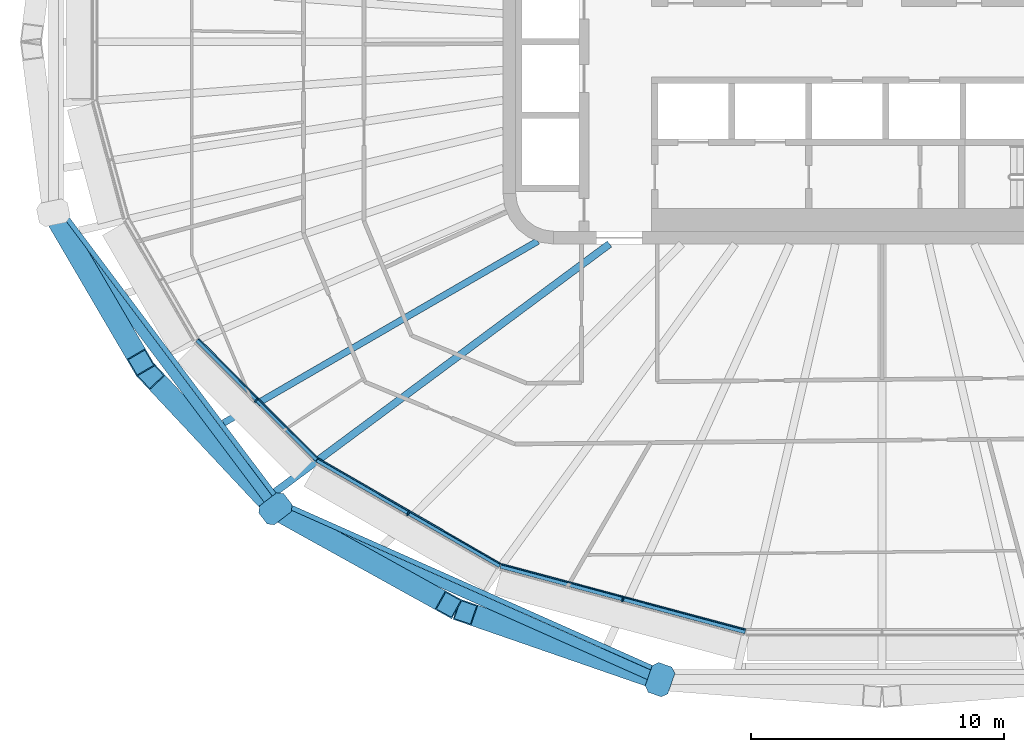
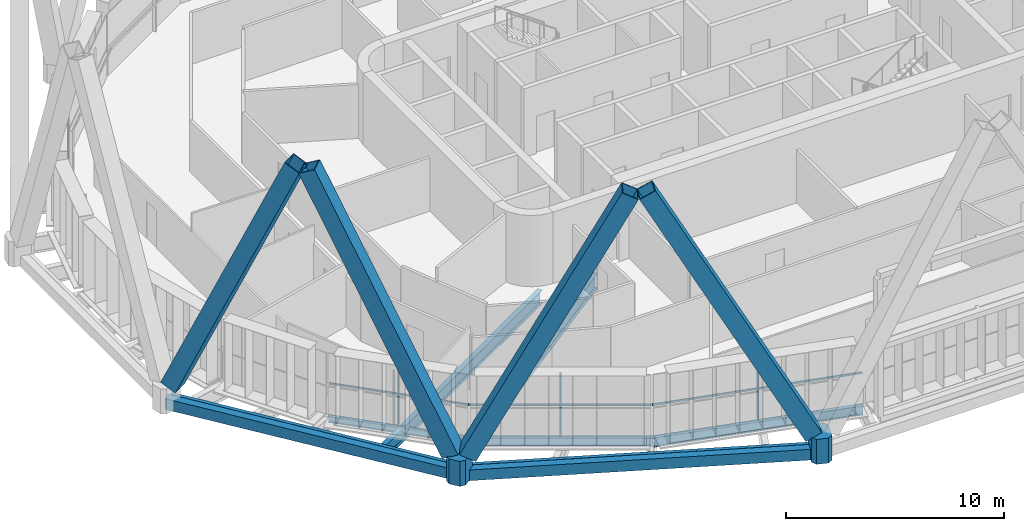
# One storey, part 1 of 25: 12 members, 9 beams, 3 elements without a shape of their own.
"""IFC4 building model written with IfcOpenShell, lengths in metres."""

import ifcopenshell
import ifcopenshell.guid

model = None  # the IFC model being written
_history = None  # IfcOwnerHistory: only IFC2X3 demands one
_inside = {}  # id of a spatial element -> (the spatial element, [elements in it])
_under = {}  # id of a project, library or spatial element -> (it, [spatial elements below it])
_declared = {}  # id of a project -> (the project, [libraries it declares])
_typed = {}  # id of a type object -> (the type object, [elements of that type])
_made_of = {}  # id of a material, layer set ... -> (it, [elements and type objects made of it])


def new_model(schema):
    """Start an empty IFC model of exactly this schema.

    Asked for "IFC4X3", IfcOpenShell would pick the latest addendum, in which some entities
    have other attributes; the version numbers below select the first issue.
    IFC2X3 requires an IfcOwnerHistory on every rooted entity: one is made here for all.
    """
    global model, _history
    if schema == "IFC4X3":
        model = ifcopenshell.file(schema_version=(4, 3, 0, 0))
    else:
        model = ifcopenshell.file(schema=schema)
    _inside.clear()
    _under.clear()
    _declared.clear()
    _typed.clear()
    _made_of.clear()
    _history = None
    if model.schema == "IFC2X3":
        org = make("IfcOrganization", Name="unknown")
        user = make(
            "IfcPersonAndOrganization",
            ThePerson=make("IfcPerson", FamilyName="unknown"),
            TheOrganization=org,
        )
        app = make(
            "IfcApplication",
            ApplicationDeveloper=org,
            Version="unknown",
            ApplicationFullName="unknown",
            ApplicationIdentifier="unknown",
        )
        _history = make(
            "IfcOwnerHistory",
            OwningUser=user,
            OwningApplication=app,
            ChangeAction="ADDED",
            CreationDate=0,
        )
    return model


def make(cls, **values):
    """One entity of the class cls with the attributes given. An attribute that is None is left unset."""
    return model.create_entity(
        cls, **{name: value for name, value in values.items() if value is not None}
    )


def rooted(cls, **values):
    """An entity with a GlobalId (a new one), such as an element, a storey or a relation."""
    return make(cls, GlobalId=ifcopenshell.guid.new(), OwnerHistory=_history, **values)


def si_unit(unit_type, name, prefix=None):
    """IfcSIUnit, for example si_unit("LENGTHUNIT", "METRE", prefix="MILLI")."""
    return make("IfcSIUnit", UnitType=unit_type, Prefix=prefix, Name=name)


def assignment(units):
    """IfcUnitAssignment: the units of a project."""
    return None if units is None else make("IfcUnitAssignment", Units=units)


def point(xyz):
    """IfcCartesianPoint."""
    return None if xyz is None else make("IfcCartesianPoint", Coordinates=xyz)


def direction(xyz):
    """IfcDirection."""
    return None if xyz is None else make("IfcDirection", DirectionRatios=xyz)


def frame(location, z_axis=None, x_axis=None):
    """IfcAxis2Placement3D, a coordinate frame: its origin and axes. An axis left out is left unset."""
    return make(
        "IfcAxis2Placement3D",
        Location=point(location),
        Axis=direction(z_axis),
        RefDirection=direction(x_axis),
    )


def frame_2d(location, x_axis=None):
    """IfcAxis2Placement2D, a coordinate frame in the plane: its origin and x axis."""
    return make(
        "IfcAxis2Placement2D", Location=point(location), RefDirection=direction(x_axis)
    )


def origin():
    """The frame at (0, 0, 0) with its axes left unset."""
    return frame((0.0, 0.0, 0.0))


def origin_2d():
    """The frame at (0, 0) in the plane with its x axis left unset."""
    return frame_2d((0.0, 0.0))


def place(relative_to, where):
    """IfcLocalPlacement: puts the frame where relative to a parent placement (None: the world)."""
    return make(
        "IfcLocalPlacement", PlacementRelTo=relative_to, RelativePlacement=where
    )


def context(
    kind, dimensions, precision=None, world=None, true_north=None, identifier=None
):
    """IfcGeometricRepresentationContext, for example the 3D "Model" context."""
    return make(
        "IfcGeometricRepresentationContext",
        ContextIdentifier=identifier,
        ContextType=kind,
        CoordinateSpaceDimension=dimensions,
        Precision=precision,
        WorldCoordinateSystem=world,
        TrueNorth=true_north,
    )


def subcontext(parent, identifier, kind, view, scale=None):
    """IfcGeometricRepresentationSubContext, for example "Body" below "Model"."""
    return make(
        "IfcGeometricRepresentationSubContext",
        ContextIdentifier=identifier,
        ContextType=kind,
        ParentContext=parent,
        TargetScale=scale,
        TargetView=view,
    )


def project(units=None, contexts=None):
    """IfcProject with its units and contexts."""
    return rooted(
        "IfcProject",
        Name="project",
        RepresentationContexts=contexts,
        UnitsInContext=assignment(units),
    )


def spatial(cls, under=None, at=None, **own):
    """A site, building, storey or space (cls), placed at a placement, below another one or the project."""
    s = rooted(cls, ObjectPlacement=at, **own)
    if under is not None:
        _under.setdefault(under.id(), (under, []))[1].append(s)
    return s


def polyline(points):
    """IfcPolyline through the points."""
    return make("IfcPolyline", Points=[point(p) for p in points])


def profile(cls, at=None, kind="AREA", **sizes):
    """A parametric profile (cls). Its sizes go by their IFC names, for example OverallWidth=200.0."""
    return make(cls, ProfileType=kind, Position=at, **sizes)


def rectangle(**sizes):
    """IfcRectangleProfileDef."""
    return profile("IfcRectangleProfileDef", **sizes)


def hollow_rectangle(**sizes):
    """IfcRectangleHollowProfileDef."""
    return profile("IfcRectangleHollowProfileDef", **sizes)


def i_section(**sizes):
    """IfcIShapeProfileDef."""
    return profile("IfcIShapeProfileDef", **sizes)


def outline(outer, holes=None, kind="AREA"):
    """IfcArbitraryClosedProfileDef: a profile drawn as a closed curve; with holes, ...WithVoids."""
    if holes is None:
        return make("IfcArbitraryClosedProfileDef", ProfileType=kind, OuterCurve=outer)
    return make(
        "IfcArbitraryProfileDefWithVoids",
        ProfileType=kind,
        OuterCurve=outer,
        InnerCurves=holes,
    )


def extrude(swept, where, along, depth):
    """IfcExtrudedAreaSolid: the profile swept, set in the frame where, extruded along a direction by depth."""
    return make(
        "IfcExtrudedAreaSolid",
        SweptArea=swept,
        Position=where,
        ExtrudedDirection=direction(along),
        Depth=depth,
    )


def shape(context_of_items, identifier, shape_type, items):
    """IfcShapeRepresentation: the items that make up one representation, for example the "Body"."""
    return make(
        "IfcShapeRepresentation",
        ContextOfItems=context_of_items,
        RepresentationIdentifier=identifier,
        RepresentationType=shape_type,
        Items=items,
    )


def material(Name=None, Category=None):
    """IfcMaterial."""
    return make("IfcMaterial", Name=Name, Category=Category)


def layer(
    of_material, thickness, ventilated=None, Name=None, Category=None, Priority=None
):
    """IfcMaterialLayer: one layer of a wall or slab, of a material (None: an air gap)."""
    return make(
        "IfcMaterialLayer",
        Material=of_material,
        LayerThickness=thickness,
        IsVentilated=ventilated,
        Name=Name,
        Category=Category,
        Priority=Priority,
    )


def layer_set(layers, Name=None):
    """IfcMaterialLayerSet."""
    return make("IfcMaterialLayerSet", MaterialLayers=layers, LayerSetName=Name)


def material_profile(
    of_material, cross_section, Name=None, Category=None, Priority=None
):
    """IfcMaterialProfile: a cross section and its material."""
    return make(
        "IfcMaterialProfile",
        Name=Name,
        Material=of_material,
        Profile=cross_section,
        Priority=Priority,
        Category=Category,
    )


def profile_set(profiles, Name=None, composite=None):
    """IfcMaterialProfileSet."""
    return make(
        "IfcMaterialProfileSet",
        Name=Name,
        MaterialProfiles=profiles,
        CompositeProfile=composite,
    )


def made_of(thing, what):
    """Note that an element or type object is made of a material, layer set ...; save() writes the relation."""
    if what is not None:
        _made_of.setdefault(what.id(), (what, []))[1].append(thing)
    return thing


def type_object(cls, material=None, **own):
    """A type object (cls), such as IfcWallType, which elements share."""
    return made_of(rooted(cls, **own), material)


def element(
    cls,
    number,
    at=None,
    inside=None,
    cuts=None,
    type_object=None,
    material=None,
    context=None,
    identifier="Body",
    shape_type=None,
    held_by="IfcProductDefinitionShape",
    body=None,
    shapes=None,
    **own,
):
    """One element of the class cls, such as IfcWall. Its Tag is "e" and its number.

    at: its placement. inside: the storey or other place that contains it. cuts: it is an
    opening in that element (IfcRelVoidsElement). A single representation is given by context,
    identifier, shape_type and body (its items); several are given by shapes. held_by: the class
    of the entity that holds the representations. save() writes the other relations.
    """
    e = rooted(cls, Tag="e%d" % number, ObjectPlacement=at, **own)
    if body is not None:
        shapes = [shape(context, identifier, shape_type, body)]
    if shapes is not None:
        e.Representation = make(held_by, Representations=shapes)
    if inside is not None:
        _inside.setdefault(inside.id(), (inside, []))[1].append(e)
    if cuts is not None:
        rooted(
            "IfcRelVoidsElement", RelatingBuildingElement=cuts, RelatedOpeningElement=e
        )
    if type_object is not None:
        _typed.setdefault(type_object.id(), (type_object, []))[1].append(e)
    return made_of(e, material)


def aggregate(whole, parts):
    """IfcRelAggregates: a whole, such as a stair, and the parts it consists of."""
    return rooted("IfcRelAggregates", RelatingObject=whole, RelatedObjects=parts)


def save(model, path):
    """Write the relations noted so far, then the file.

    IfcRelAggregates (storeys below a building ...), IfcRelContainedInSpatialStructure (elements
    in a storey), IfcRelDefinesByType, IfcRelAssociatesMaterial and IfcRelDeclares: one each for
    every whole, place, type object, material and project.
    """
    for whole, parts in _under.values():
        aggregate(whole, parts)
    for where, things in _inside.values():
        rooted(
            "IfcRelContainedInSpatialStructure",
            RelatedElements=things,
            RelatingStructure=where,
        )
    for kind, things in _typed.values():
        rooted("IfcRelDefinesByType", RelatedObjects=things, RelatingType=kind)
    for what, things in _made_of.values():
        rooted("IfcRelAssociatesMaterial", RelatedObjects=things, RelatingMaterial=what)
    for by, libraries in _declared.values():
        rooted("IfcRelDeclares", RelatingContext=by, RelatedDefinitions=libraries)
    model.write(path)


model = new_model("IFC4")

# Units and contexts
model_context = context("Model", 3, precision=1e-05, world=origin(), true_north=direction((0.0, 1.0)))
body_context = subcontext(model_context, "Body", "Model", "MODEL_VIEW")
ifc_project = project(units=[si_unit("LENGTHUNIT", "METRE"), si_unit("AREAUNIT", "SQUARE_METRE"), si_unit("VOLUMEUNIT", "CUBIC_METRE"), si_unit("PLANEANGLEUNIT", "RADIAN"), si_unit("MASSUNIT", "GRAM", prefix="KILO")], contexts=[model_context])

# Site, building, storey
site_placement = place(None, origin())
site = spatial("IfcSite", under=ifc_project, at=site_placement, CompositionType="ELEMENT")
building_placement = place(site_placement, origin())
building = spatial("IfcBuilding", under=site, at=building_placement, Name="Sahrelin Media Tower", CompositionType="ELEMENT")
storey_placement = place(building_placement, frame((0.0, 0.0, 165.60009765625)))
storey = spatial("IfcBuildingStorey", under=building, at=storey_placement, Name="L34", CompositionType="ELEMENT", Elevation=165.60009765625)

# Members
ifc_material_1 = material(Name="Steel S460", Category="steel")
ifc_material_profile_1 = material_profile(ifc_material_1, hollow_rectangle(XDim=0.85009765625, YDim=0.85009765625, WallThickness=0.044921875, at=origin_2d()), Name="Diagrid diagonal DG4")
ifc_profile_set_1 = profile_set([ifc_material_profile_1], Name="Steel S460")
member_type_1 = type_object("IfcMemberType", Name="Diagrid diagonal DG4", PredefinedType="BRACE", material=ifc_profile_set_1)
member_1_placement = place(storey_placement, frame((-32.635986328125, -7.034912109375, 0.699951171875), z_axis=(0.206719269203, -0.353451810251, 0.912326126761), x_axis=(0.863205372042, 0.504852934702, 0.0)))
element("IfcMember", 1, at=member_1_placement, inside=storey, type_object=member_type_1, Name="Diagrid diagonal D07-13", PredefinedType="BRACE", context=body_context, shape_type="SweptSolid", body=[
    extrude(hollow_rectangle(XDim=0.85009765625, YDim=0.85009765625, WallThickness=0.044921875, at=origin_2d()), origin(), (0.0, 0.0, 1.0), 16.0029296875),
])
member_2_placement = place(storey_placement, frame((-24.233154296875, -18.237060546875, 0.699951171875), z_axis=(-0.291734755252, 0.311755323124, 0.904267355975), x_axis=(-0.730163113627, -0.683272879236, 0.0)))
element("IfcMember", 2, at=member_2_placement, inside=storey, type_object=member_type_1, Name="Diagrid diagonal D07-14", PredefinedType="BRACE", context=body_context, shape_type="SweptSolid", body=[
    extrude(hollow_rectangle(XDim=0.85009765625, YDim=0.85009765625, WallThickness=0.044921875, at=origin_2d()), origin(), (0.0, 0.0, 1.0), 16.1455078125),
])
member_3_placement = place(storey_placement, frame((-23.69384765625, -18.652099609375, 0.699951171875), z_axis=(0.398674830387, -0.221022968388, 0.890060237883), x_axis=(0.484866509738, 0.87458817036, 0.0)))
element("IfcMember", 3, at=member_3_placement, inside=storey, type_object=member_type_1, Name="Diagrid diagonal D07-15", PredefinedType="BRACE", context=body_context, shape_type="SweptSolid", body=[
    extrude(hollow_rectangle(XDim=0.85009765625, YDim=0.85009765625, WallThickness=0.044921875, at=origin_2d()), origin(), (0.0, 0.0, 1.0), 16.4033203125),
])
member_4_placement = place(storey_placement, frame((-9.1396484375, -25.119873046875, 0.699951171875), z_axis=(-0.444249125914, 0.153932373784, 0.882580046469), x_axis=(-0.327402724383, -0.944884890379, 0.0)))
element("IfcMember", 4, at=member_4_placement, inside=storey, type_object=member_type_1, Name="Diagrid diagonal D07-16", PredefinedType="BRACE", context=body_context, shape_type="SweptSolid", body=[
    extrude(hollow_rectangle(XDim=0.85009765625, YDim=0.85009765625, WallThickness=0.044921875, at=origin_2d()), origin(), (0.0, 0.0, 1.0), 16.542236328125),
])
ifc_material_profile_2 = material_profile(ifc_material_1, outline(polyline([(0.425048828125, -0.47509765625), (0.625, -0.27490234375), (0.625, 0.27490234375), (0.425048828125, 0.47509765625), (-0.425048828125, 0.47509765625), (-0.625, 0.27490234375), (-0.625, -0.27490234375), (-0.425048828125, -0.47509765625), (0.425048828125, -0.47509765625)])), Name="Diagrid node block 1250")
ifc_profile_set_2 = profile_set([ifc_material_profile_2], Name="Steel S460")
member_type_2 = type_object("IfcMemberType", Name="Diagrid node block 1250", PredefinedType="USERDEFINED", material=ifc_profile_set_2)
for number, where, z_axis, x_axis, name in (
    (5, (-24.00732421875, -18.478515625, -0.7001953125), (0.0, 0.0, 1.0), (-0.792446158195, -0.609941871297, 0.0), "Diagrid node N07-07"),
    (6, (-8.787353515625, -25.241943359375, -0.7001953125), (0.0, 0.0, 1.0), (-0.328769398381, -0.944410230085, 0.0), "Diagrid node N07-08"),
):
    element("IfcMember", number, at=place(storey_placement, frame(where, z_axis=z_axis, x_axis=x_axis)), inside=storey, type_object=member_type_2, Name=name, ObjectType="NODE", PredefinedType="USERDEFINED", context=body_context, shape_type="SweptSolid", body=[
        extrude(outline(polyline([(0.425048828125, -0.47509765625), (0.625, -0.27490234375), (0.625, 0.27490234375), (0.425048828125, 0.47509765625), (-0.425048828125, 0.47509765625), (-0.625, 0.27490234375), (-0.625, -0.27490234375), (-0.425048828125, -0.47509765625), (0.425048828125, -0.47509765625)])), origin(), (0.0, 0.0, 1.0), 1.400146484375),
    ])

# Beams
ifc_material_profile_3 = material_profile(ifc_material_1, hollow_rectangle(XDim=0.39990234375, YDim=0.60009765625, WallThickness=0.030029296875, at=origin_2d()), Name="Diagrid ring beam RB1")
ifc_profile_set_3 = profile_set([ifc_material_profile_3], Name="Steel S460")
beam_type_1 = type_object("IfcBeamType", Name="Diagrid ring beam RB1", PredefinedType="BEAM", material=ifc_profile_set_3)
beam_1_placement = place(storey_placement, frame((-32.794677734375, -6.763671875, -0.4501953125), z_axis=(0.600053347115, -0.799959986885, 0.0), x_axis=(0.799959986885, 0.600053347115, 0.0)))
element("IfcBeam", 7, at=beam_1_placement, inside=storey, type_object=beam_type_1, Name="Diagrid ring beam RB07-06", PredefinedType="BEAM", context=body_context, shape_type="SweptSolid", body=[
    extrude(hollow_rectangle(XDim=0.39990234375, YDim=0.60009765625, WallThickness=0.030029296875, at=origin_2d()), origin(), (0.0, 0.0, 1.0), 14.644287109375),
])
beam_2_placement = place(storey_placement, frame((-24.00732421875, -18.478515625, -0.4501953125), z_axis=(0.913833912986, -0.406088142498, 0.0), x_axis=(0.406088142498, 0.913833912986, 0.0)))
element("IfcBeam", 8, at=beam_2_placement, inside=storey, type_object=beam_type_1, Name="Diagrid ring beam RB07-07", PredefinedType="BEAM", context=body_context, shape_type="SweptSolid", body=[
    extrude(hollow_rectangle(XDim=0.39990234375, YDim=0.60009765625, WallThickness=0.030029296875, at=origin_2d()), origin(), (0.0, 0.0, 1.0), 16.655029296875),
])
ifc_material_2 = material(Name="Steel S355", Category="steel")
ifc_material_profile_4 = material_profile(ifc_material_2, i_section(OverallWidth=0.17138671875, OverallDepth=0.35498046875, WebThickness=0.00732421875, FlangeThickness=0.011474609375, FilletRadius=0.01025390625, at=origin_2d()), Name="UB 356x171x51")
ifc_profile_set_4 = profile_set([ifc_material_profile_4], Name="Steel S355")
beam_type_2 = type_object("IfcBeamType", Name="Edge beam EB3", PredefinedType="BEAM", material=ifc_profile_set_4)
beam_3_placement = place(storey_placement, frame((-22.376220703125, -16.52734375, -0.32763671875), z_axis=(-0.707106781187, 0.707106781187, 0.0), x_axis=(-0.707106781187, -0.707106781187, 0.0)))
element("IfcBeam", 9, at=beam_3_placement, inside=storey, type_object=beam_type_2, Name="Edge beam L34-10", PredefinedType="BEAM", context=body_context, shape_type="SweptSolid", body=[
    extrude(i_section(OverallWidth=0.17138671875, OverallDepth=0.35498046875, WebThickness=0.00732421875, FlangeThickness=0.011474609375, FilletRadius=0.01025390625, at=origin_2d()), origin(), (0.0, 0.0, 1.0), 6.68994140625),
])
ifc_material_profile_5 = material_profile(ifc_material_2, i_section(OverallWidth=0.1904296875, OverallDepth=0.45703125, WebThickness=0.009033203125, FlangeThickness=0.014404296875, FilletRadius=0.01025390625, at=origin_2d()), Name="UB 457x191x74")
ifc_profile_set_5 = profile_set([ifc_material_profile_5], Name="Steel S355")
beam_type_3 = type_object("IfcBeamType", Name="Edge beam EB5", PredefinedType="BEAM", material=ifc_profile_set_5)
beam_4_placement = place(storey_placement, frame((-15.118896484375, -20.7216796875, -0.378662109375), z_axis=(-0.866033256399, 0.499986398626, 0.0), x_axis=(-0.499986398626, -0.866033256399, 0.0)))
element("IfcBeam", 10, at=beam_4_placement, inside=storey, type_object=beam_type_3, Name="Edge beam L34-09", PredefinedType="BEAM", context=body_context, shape_type="SweptSolid", body=[
    extrude(i_section(OverallWidth=0.1904296875, OverallDepth=0.45703125, WebThickness=0.009033203125, FlangeThickness=0.014404296875, FilletRadius=0.01025390625, at=origin_2d()), origin(), (0.0, 0.0, 1.0), 8.353759765625),
])
ifc_material_profile_6 = material_profile(ifc_material_2, i_section(OverallWidth=0.208740234375, OverallDepth=0.5283203125, WebThickness=0.009521484375, FlangeThickness=0.01318359375, FilletRadius=0.0126953125, at=origin_2d()), Name="UB 533x210x82")
ifc_profile_set_6 = profile_set([ifc_material_profile_6], Name="Steel S355")
beam_type_4 = type_object("IfcBeamType", Name="Edge beam EB6", PredefinedType="BEAM", material=ifc_profile_set_6)
beam_5_placement = place(storey_placement, frame((-5.4111328125, -23.326904296875, -0.414306640625), z_axis=(-0.965927393015, 0.258813197932, 0.0), x_axis=(-0.258813197932, -0.965927393015, 0.0)))
element("IfcBeam", 11, at=beam_5_placement, inside=storey, type_object=beam_type_4, Name="Edge beam L34-08", PredefinedType="BEAM", context=body_context, shape_type="SweptSolid", body=[
    extrude(i_section(OverallWidth=0.208740234375, OverallDepth=0.5283203125, WebThickness=0.009521484375, FlangeThickness=0.01318359375, FilletRadius=0.0126953125, at=origin_2d()), origin(), (0.0, 0.0, 1.0), 10.022705078125),
])

# Curtain wall, member
ifc_material_3 = material(Name="Champagne anodised aluminium 6063-T6", Category="aluminium")
ifc_layer = layer(ifc_material_3, 0.14990234375)
ifc_layer_set = layer_set([ifc_layer], Name="Tower ribbon curtain wall")
curtain_wall_type = type_object("IfcCurtainWallType", Name="Tower ribbon curtain wall", PredefinedType="NOTDEFINED", material=ifc_layer_set)
curtain_wall_1_placement = place(storey_placement, frame((-24.847412109375, -14.268310546875, 0.0), z_axis=(0.0, 0.0, 1.0), x_axis=(1.0, 0.0, 0.0)))
curtain_wall_1 = element("IfcCurtainWall", 12, at=curtain_wall_1_placement, inside=storey, type_object=curtain_wall_type, Name="L34:CW:L34-15", PredefinedType="NOTDEFINED")
ifc_material_profile_7 = material_profile(ifc_material_3, rectangle(XDim=0.06005859375, YDim=0.175048828125, at=origin_2d()), Name="Mullion 60x175")
ifc_profile_set_7 = profile_set([ifc_material_profile_7], Name="Champagne anodised aluminium 6063-T6")
member_type_3 = type_object("IfcMemberType", Name="Mullion 60x175 CW1B", PredefinedType="MULLION", material=ifc_profile_set_7)
member_5_placement = place(storey_placement, frame((-24.771484375, -14.192138671875, 0.0), z_axis=(0.0, 0.0, 1.0), x_axis=(0.707099376343, -0.707114185953, 0.0)))
member_5 = element("IfcMember", 13, at=member_5_placement, type_object=member_type_3, Name="L34:CWM:L34-15", PredefinedType="MULLION", context=body_context, shape_type="SweptSolid", body=[
    extrude(rectangle(XDim=0.06005859375, YDim=0.175048828125, at=origin_2d()), origin(), (0.0, 0.0, 1.0), 3.448486328125),
])

curtain_wall_2_placement = place(storey_placement, frame((-18.811279296875, -18.76318359375, 0.0), z_axis=(0.0, 0.0, 1.0), x_axis=(1.0, 0.0, 0.0)))
curtain_wall_2 = element("IfcCurtainWall", 14, at=curtain_wall_2_placement, inside=storey, type_object=curtain_wall_type, Name="L34:CW:L34-16", PredefinedType="NOTDEFINED")
member_6_placement = place(storey_placement, frame((-18.75732421875, -18.670166015625, 0.0), z_axis=(0.0, 0.0, 1.0), x_axis=(0.866027149108, -0.499996976998, 0.0)))
member_6 = element("IfcMember", 15, at=member_6_placement, type_object=member_type_3, Name="L34:CWM:L34-16", PredefinedType="MULLION", context=body_context, shape_type="SweptSolid", body=[
    extrude(rectangle(XDim=0.06005859375, YDim=0.175048828125, at=origin_2d()), origin(), (0.0, 0.0, 1.0), 3.448486328125),
])

curtain_wall_3_placement = place(storey_placement, frame((-10.29052734375, -22.1748046875, 0.0), z_axis=(0.0, 0.0, 1.0), x_axis=(1.0, 0.0, 0.0)))
curtain_wall_3 = element("IfcCurtainWall", 16, at=curtain_wall_3_placement, inside=storey, type_object=curtain_wall_type, Name="L34:CW:L34-17", PredefinedType="NOTDEFINED")
member_7_placement = place(storey_placement, frame((-10.2626953125, -22.07080078125, 0.0), z_axis=(0.0, 0.0, 1.0), x_axis=(0.965925826289, -0.258819045103, 0.0)))
member_7 = element("IfcMember", 17, at=member_7_placement, type_object=member_type_3, Name="L34:CWM:L34-17", PredefinedType="MULLION", context=body_context, shape_type="SweptSolid", body=[
    extrude(rectangle(XDim=0.06005859375, YDim=0.175048828125, at=origin_2d()), origin(), (0.0, 0.0, 1.0), 3.448486328125),
])

# Beams
ifc_material_profile_8 = material_profile(ifc_material_2, i_section(OverallWidth=0.291748046875, OverallDepth=0.8349609375, WebThickness=0.013916015625, FlangeThickness=0.018798828125, FilletRadius=0.017822265625, at=origin_2d()), Name="UB 838x292x176")
ifc_profile_set_8 = profile_set([ifc_material_profile_8], Name="Steel S355")
beam_type_5 = type_object("IfcBeamType", Name="Radial primary beam PB10", PredefinedType="BEAM", material=ifc_profile_set_8)
beam_6_placement = place(storey_placement, frame((-10.78564453125, -8.0, -0.567626953125), z_axis=(-0.8031817712, -0.59573403664, 0.0), x_axis=(0.59573403664, -0.8031817712, 0.0)))
element("IfcBeam", 18, at=beam_6_placement, inside=storey, type_object=beam_type_5, Name="Radial beam L34-16", PredefinedType="BEAM", context=body_context, shape_type="SweptSolid", body=[
    extrude(i_section(OverallWidth=0.291748046875, OverallDepth=0.8349609375, WebThickness=0.013916015625, FlangeThickness=0.018798828125, FilletRadius=0.017822265625, at=origin_2d()), origin(), (0.0, 0.0, 1.0), 16.46923828125),
])
ifc_material_profile_9 = material_profile(ifc_material_2, i_section(OverallWidth=0.26513671875, OverallDepth=0.75390625, WebThickness=0.0126953125, FlangeThickness=0.017578125, FilletRadius=0.0166015625, at=origin_2d()), Name="UB 762x267x147")
ifc_profile_set_9 = profile_set([ifc_material_profile_9], Name="Steel S355")
beam_type_6 = type_object("IfcBeamType", Name="Radial secondary beam SB9", PredefinedType="BEAM", material=ifc_profile_set_9)
beam_7_placement = place(storey_placement, frame((-13.625732421875, -7.88720703125, -0.527099609375), z_axis=(-0.865463515193, -0.500971959165, 0.0), x_axis=(0.500971959165, -0.865463515193, 0.0)))
element("IfcBeam", 19, at=beam_7_placement, inside=storey, type_object=beam_type_6, Name="Secondary beam L34-15", PredefinedType="BEAM", context=body_context, shape_type="SweptSolid", body=[
    extrude(i_section(OverallWidth=0.26513671875, OverallDepth=0.75390625, WebThickness=0.0126953125, FlangeThickness=0.017578125, FilletRadius=0.0166015625, at=origin_2d()), origin(), (0.0, 0.0, 1.0), 14.3662109375),
])
ifc_material_profile_10 = material_profile(ifc_material_2, i_section(OverallWidth=0.1904296875, OverallDepth=0.45703125, WebThickness=0.009033203125, FlangeThickness=0.014404296875, FilletRadius=0.01025390625, at=origin_2d()), Name="UB 457x191x74")
ifc_profile_set_10 = profile_set([ifc_material_profile_10], Name="Steel S355")
beam_type_7 = type_object("IfcBeamType", Name="Tie chord TC5", PredefinedType="BEAM", material=ifc_profile_set_10)
beam_8_placement = place(storey_placement, frame((-8.7236328125, -24.94189453125, -0.378662109375), z_axis=(-0.913831056717, 0.406094569994, 0.0), x_axis=(-0.406094569994, -0.913831056717, 0.0)))
element("IfcBeam", 20, at=beam_8_placement, inside=storey, type_object=beam_type_7, Name="Tie chord L34-05", PredefinedType="BEAM", context=body_context, shape_type="SweptSolid", body=[
    extrude(i_section(OverallWidth=0.1904296875, OverallDepth=0.45703125, WebThickness=0.009033203125, FlangeThickness=0.014404296875, FilletRadius=0.01025390625, at=origin_2d()), origin(), (0.0, 0.0, 1.0), 16.513427734375),
])
beam_9_placement = place(storey_placement, frame((-23.814208984375, -18.23583984375, -0.378662109375), z_axis=(-0.600043204126, 0.799967595083, 0.0), x_axis=(-0.799967595083, -0.600043204126, 0.0)))
element("IfcBeam", 21, at=beam_9_placement, inside=storey, type_object=beam_type_7, Name="Tie chord L34-06", PredefinedType="BEAM", context=body_context, shape_type="SweptSolid", body=[
    extrude(i_section(OverallWidth=0.1904296875, OverallDepth=0.45703125, WebThickness=0.009033203125, FlangeThickness=0.014404296875, FilletRadius=0.01025390625, at=origin_2d()), origin(), (0.0, 0.0, 1.0), 14.4658203125),
])

# Member
ifc_material_profile_11 = material_profile(ifc_material_3, rectangle(XDim=0.050048828125, YDim=0.110107421875, at=origin_2d()), Name="Transom 50x110")
ifc_profile_set_11 = profile_set([ifc_material_profile_11], Name="Champagne anodised aluminium 6063-T6")
member_type_4 = type_object("IfcMemberType", Name="Transom 50x110 CW1B", PredefinedType="USERDEFINED", material=ifc_profile_set_11)
member_8_placement = place(storey_placement, frame((-27.046142578125, -11.758544921875, 1.599853515625), z_axis=(0.707106781187, -0.707106781187, 0.0), x_axis=(0.707106781187, 0.707106781187, 0.0)))
member_8 = element("IfcMember", 22, at=member_8_placement, type_object=member_type_4, Name="L34:CWT:L34-15", ObjectType="TRANSOM", PredefinedType="USERDEFINED", context=body_context, shape_type="SweptSolid", body=[
    extrude(rectangle(XDim=0.050048828125, YDim=0.110107421875, at=origin_2d()), origin(), (0.0, 0.0, 1.0), 6.658447265625),
])

aggregate(curtain_wall_1, [member_5, member_8])

member_9_placement = place(storey_placement, frame((-22.3046875, -16.4921875, 1.599853515625), z_axis=(0.866024861332, -0.500000939553, 0.0), x_axis=(0.500000939553, 0.866024861332, 0.0)))
member_9 = element("IfcMember", 23, at=member_9_placement, type_object=member_type_4, Name="L34:CWT:L34-16", ObjectType="TRANSOM", PredefinedType="USERDEFINED", context=body_context, shape_type="SweptSolid", body=[
    extrude(rectangle(XDim=0.050048828125, YDim=0.110107421875, at=origin_2d()), origin(), (0.0, 0.0, 1.0), 8.322265625),
])

aggregate(curtain_wall_2, [member_6, member_9])

member_10_placement = place(storey_placement, frame((-15.05908203125, -20.669189453125, 1.599853515625), z_axis=(0.965926019186, -0.258818325201, 0.0), x_axis=(0.258818325201, 0.965926019186, 0.0)))
member_10 = element("IfcMember", 24, at=member_10_placement, type_object=member_type_4, Name="L34:CWT:L34-17", ObjectType="TRANSOM", PredefinedType="USERDEFINED", context=body_context, shape_type="SweptSolid", body=[
    extrude(rectangle(XDim=0.050048828125, YDim=0.110107421875, at=origin_2d()), origin(), (0.0, 0.0, 1.0), 9.9912109375),
])

aggregate(curtain_wall_3, [member_7, member_10])

save(model, "model.ifc")
